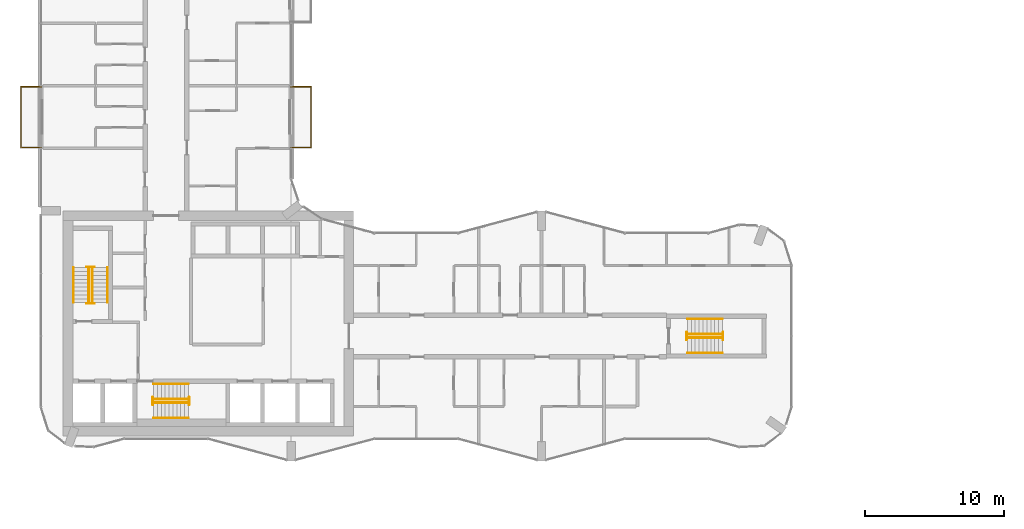
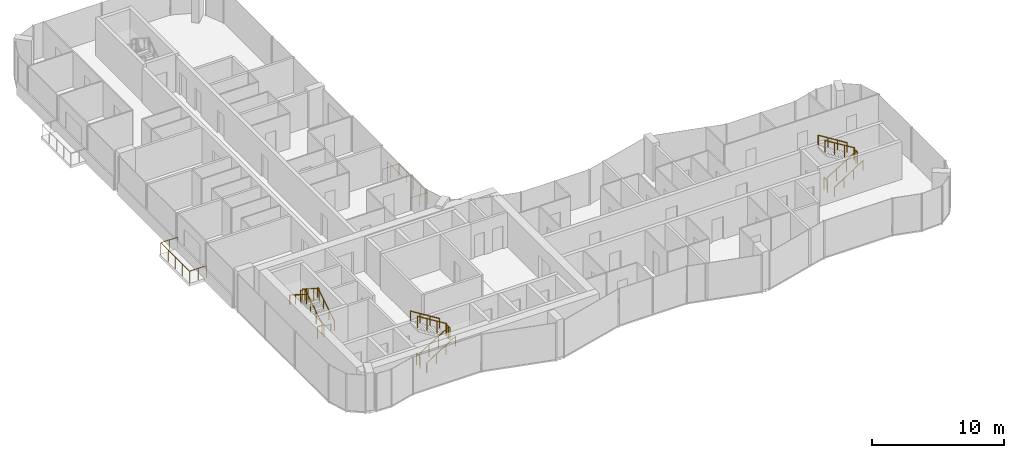
# One storey, part 21 of 23: 20 railings.
"""IFC4 building model written with IfcOpenShell, lengths in metres."""

from ifc_helpers import new_model, si_unit, direction, frame, origin, origin_2d, place, context, subcontext, project, spatial, circle, extrude, material, type_object, element, save


model = new_model("IFC4")

# Units and contexts
model_context = context("Model", 3, precision=1e-05, world=origin(), true_north=direction((0.0, 1.0)))
body_context = subcontext(model_context, "Body", "Model", "MODEL_VIEW")
ifc_project = project(units=[si_unit("LENGTHUNIT", "METRE"), si_unit("AREAUNIT", "SQUARE_METRE"), si_unit("VOLUMEUNIT", "CUBIC_METRE"), si_unit("PLANEANGLEUNIT", "RADIAN"), si_unit("MASSUNIT", "GRAM", prefix="KILO")], contexts=[model_context])

# Site, building, storey
site_placement = place(None, origin())
site = spatial("IfcSite", under=ifc_project, at=site_placement, CompositionType="ELEMENT")
building_placement = place(site_placement, origin())
building = spatial("IfcBuilding", under=site, at=building_placement, Name="Plateau Cross Towers", CompositionType="ELEMENT")
storey_placement = place(building_placement, frame((0.0, 0.0, 81.800048828125)))
storey = spatial("IfcBuildingStorey", under=building, at=storey_placement, Name="L20", CompositionType="ELEMENT", Elevation=81.800048828125)

# Railings
ifc_material_1 = material(Name="Stainless steel and toughened glass", Category="steel")
railing_type_1 = type_object("IfcRailingType", Name="Glass balustrade guard 1100", PredefinedType="GUARDRAIL", material=ifc_material_1)
railing_1_placement = place(storey_placement, frame((0.050048828125, 22.570068359375, 0.0)))
element("IfcRailing", 1, at=railing_1_placement, inside=storey, type_object=railing_type_1, Name="Guard guard1", PredefinedType="GUARDRAIL", context=body_context, shape_type="SweptSolid", body=[
    extrude(circle(Radius=0.02392578125, at=origin_2d()), frame((0.0, 0.0, 1.076171875), z_axis=(-1.0, 0.0, 0.0), x_axis=(0.0, -1.0, 0.0)), (0.0, 0.0, 1.0), 1.47998046875),
    extrude(circle(Radius=0.02392578125, at=origin_2d()), frame((-1.47998046875, 0.0, 1.076171875), z_axis=(0.0, 1.0, 0.0), x_axis=(-1.0, 0.0, 0.0)), (0.0, 0.0, 1.0), 4.35986328125),
    extrude(circle(Radius=0.02392578125, at=origin_2d()), frame((-1.47998046875, 4.35986328125, 1.076171875), z_axis=(1.0, 0.0, 0.0), x_axis=(0.0, 1.0, 0.0)), (0.0, 0.0, 1.0), 1.47998046875),
    extrude(circle(Radius=0.02099609375, at=origin_2d()), origin(), (0.0, 0.0, 1.0), 1.052001953125),
    extrude(circle(Radius=0.02099609375, at=origin_2d()), frame((-0.739990234375, 0.0, 0.0)), (0.0, 0.0, 1.0), 1.052001953125),
    extrude(circle(Radius=0.02099609375, at=origin_2d()), frame((-1.47998046875, 0.0, 0.0)), (0.0, 0.0, 1.0), 1.052001953125),
    extrude(circle(Radius=0.02099609375, at=origin_2d()), frame((-1.47998046875, 1.08984375, 0.0)), (0.0, 0.0, 1.0), 1.052001953125),
    extrude(circle(Radius=0.02099609375, at=origin_2d()), frame((-1.47998046875, 2.179931640625, 0.0)), (0.0, 0.0, 1.0), 1.052001953125),
    extrude(circle(Radius=0.02099609375, at=origin_2d()), frame((-1.47998046875, 3.27001953125, 0.0)), (0.0, 0.0, 1.0), 1.052001953125),
    extrude(circle(Radius=0.02099609375, at=origin_2d()), frame((-1.47998046875, 4.35986328125, 0.0)), (0.0, 0.0, 1.0), 1.052001953125),
    extrude(circle(Radius=0.02099609375, at=origin_2d()), frame((-0.739990234375, 4.35986328125, 0.0)), (0.0, 0.0, 1.0), 1.052001953125),
    extrude(circle(Radius=0.02099609375, at=origin_2d()), frame((0.0, 4.35986328125, 0.0)), (0.0, 0.0, 1.0), 1.052001953125),
])
railing_2_placement = place(storey_placement, frame((17.949951171875, 26.929931640625, 0.0)))
element("IfcRailing", 2, at=railing_2_placement, inside=storey, type_object=railing_type_1, Name="Guard guard1", PredefinedType="GUARDRAIL", context=body_context, shape_type="SweptSolid", body=[
    extrude(circle(Radius=0.02392578125, at=origin_2d()), frame((0.0, 0.0, 1.076171875), z_axis=(1.0, 0.0, 0.0), x_axis=(0.0, 1.0, 0.0)), (0.0, 0.0, 1.0), 1.47998046875),
    extrude(circle(Radius=0.02392578125, at=origin_2d()), frame((1.47998046875, 0.0, 1.076171875), z_axis=(0.0, -1.0, 0.0), x_axis=(1.0, 0.0, 0.0)), (0.0, 0.0, 1.0), 4.35986328125),
    extrude(circle(Radius=0.02392578125, at=origin_2d()), frame((1.47998046875, -4.35986328125, 1.076171875), z_axis=(-1.0, 0.0, 0.0), x_axis=(0.0, -1.0, 0.0)), (0.0, 0.0, 1.0), 1.47998046875),
    extrude(circle(Radius=0.02099609375, at=origin_2d()), origin(), (0.0, 0.0, 1.0), 1.052001953125),
    extrude(circle(Radius=0.02099609375, at=origin_2d()), frame((0.739990234375, 0.0, 0.0)), (0.0, 0.0, 1.0), 1.052001953125),
    extrude(circle(Radius=0.02099609375, at=origin_2d()), frame((1.47998046875, 0.0, 0.0)), (0.0, 0.0, 1.0), 1.052001953125),
    extrude(circle(Radius=0.02099609375, at=origin_2d()), frame((1.47998046875, -1.08984375, 0.0)), (0.0, 0.0, 1.0), 1.052001953125),
    extrude(circle(Radius=0.02099609375, at=origin_2d()), frame((1.47998046875, -2.179931640625, 0.0)), (0.0, 0.0, 1.0), 1.052001953125),
    extrude(circle(Radius=0.02099609375, at=origin_2d()), frame((1.47998046875, -3.27001953125, 0.0)), (0.0, 0.0, 1.0), 1.052001953125),
    extrude(circle(Radius=0.02099609375, at=origin_2d()), frame((1.47998046875, -4.35986328125, 0.0)), (0.0, 0.0, 1.0), 1.052001953125),
    extrude(circle(Radius=0.02099609375, at=origin_2d()), frame((0.739990234375, -4.35986328125, 0.0)), (0.0, 0.0, 1.0), 1.052001953125),
    extrude(circle(Radius=0.02099609375, at=origin_2d()), frame((0.0, -4.35986328125, 0.0)), (0.0, 0.0, 1.0), 1.052001953125),
])
railing_type_2 = type_object("IfcRailingType", Name="RL-GUARD-1100", PredefinedType="GUARDRAIL", material=ifc_material_1)
railing_3_placement = place(storey_placement, frame((3.699951171875, 11.39990234375, 0.175048828125)))
element("IfcRailing", 3, at=railing_3_placement, inside=storey, type_object=railing_type_2, Name="L20 ST-1 stair guard 1", PredefinedType="GUARDRAIL", context=body_context, shape_type="SweptSolid", body=[
    extrude(circle(Radius=0.02392578125, at=origin_2d()), frame((0.0, 0.0, 1.076171875), z_axis=(0.0, 0.848007534815, 0.529984170421), x_axis=(-1.0, 0.0, 0.0)), (0.0, 0.0, 1.0), 2.9716796875),
    extrude(circle(Radius=0.02099609375, at=origin_2d()), origin(), (0.0, 0.0, 1.0), 1.052001953125),
    extrude(circle(Radius=0.02099609375, at=origin_2d()), frame((0.0, 0.840087890625, 0.52490234375)), (0.0, 0.0, 1.0), 1.052001953125),
    extrude(circle(Radius=0.02099609375, at=origin_2d()), frame((0.0, 1.679931640625, 1.050048828125)), (0.0, 0.0, 1.0), 1.052001953125),
    extrude(circle(Radius=0.02099609375, at=origin_2d()), frame((0.0, 2.52001953125, 1.574951171875)), (0.0, 0.0, 1.0), 1.052001953125),
])
railing_4_placement = place(storey_placement, frame((3.85009765625, 13.969970703125, 1.75)))
element("IfcRailing", 4, at=railing_4_placement, inside=storey, type_object=railing_type_2, Name="L20 ST-1 stair guard 2", PredefinedType="GUARDRAIL", context=body_context, shape_type="SweptSolid", body=[
    extrude(circle(Radius=0.02392578125, at=origin_2d()), frame((0.0, 0.0, 1.076171875), z_axis=(-1.0, 0.0, 0.0), x_axis=(0.0, -1.0, 0.0)), (0.0, 0.0, 1.0), 0.550048828125),
    extrude(circle(Radius=0.02099609375, at=origin_2d()), origin(), (0.0, 0.0, 1.0), 1.052001953125),
    extrude(circle(Radius=0.02099609375, at=origin_2d()), frame((-0.550048828125, 0.0, 0.0)), (0.0, 0.0, 1.0), 1.052001953125),
])
railing_5_placement = place(storey_placement, frame((3.449951171875, 13.919921875, 1.925048828125)))
element("IfcRailing", 5, at=railing_5_placement, inside=storey, type_object=railing_type_2, Name="L20 ST-1 stair guard 3", PredefinedType="GUARDRAIL", context=body_context, shape_type="SweptSolid", body=[
    extrude(circle(Radius=0.02392578125, at=origin_2d()), frame((0.0, 0.0, 1.076171875), z_axis=(0.0, -0.852616386126, 0.522537365276), x_axis=(1.0, 0.0, 0.0)), (0.0, 0.0, 1.0), 3.01416015625),
    extrude(circle(Radius=0.02099609375, at=origin_2d()), origin(), (0.0, 0.0, 1.0), 1.052001953125),
    extrude(circle(Radius=0.02099609375, at=origin_2d()), frame((0.0, -0.856689453125, 0.52490234375)), (0.0, 0.0, 1.0), 1.052001953125),
    extrude(circle(Radius=0.02099609375, at=origin_2d()), frame((0.0, -1.713134765625, 1.050048828125)), (0.0, 0.0, 1.0), 1.052001953125),
    extrude(circle(Radius=0.02099609375, at=origin_2d()), frame((0.0, -2.56982421875, 1.574951171875)), (0.0, 0.0, 1.0), 1.052001953125),
])
railing_6_placement = place(storey_placement, frame((3.85009765625, 11.35009765625, 0.0)))
element("IfcRailing", 6, at=railing_6_placement, inside=storey, type_object=railing_type_2, Name="L20 ST-1 stair guard 4", PredefinedType="GUARDRAIL", context=body_context, shape_type="SweptSolid", body=[
    extrude(circle(Radius=0.02392578125, at=origin_2d()), frame((0.0, 0.0, 1.076171875), z_axis=(-1.0, 0.0, 0.0), x_axis=(0.0, -1.0, 0.0)), (0.0, 0.0, 1.0), 0.550048828125),
    extrude(circle(Radius=0.02099609375, at=origin_2d()), origin(), (0.0, 0.0, 1.0), 1.052001953125),
    extrude(circle(Radius=0.02099609375, at=origin_2d()), frame((-0.550048828125, 0.0, 0.0)), (0.0, 0.0, 1.0), 1.052001953125),
])
railing_7_placement = place(storey_placement, frame((8.10009765625, 4.199951171875, 0.175048828125)))
element("IfcRailing", 7, at=railing_7_placement, inside=storey, type_object=railing_type_2, Name="L20 ST-2 stair guard 1", PredefinedType="GUARDRAIL", context=body_context, shape_type="SweptSolid", body=[
    extrude(circle(Radius=0.02392578125, at=origin_2d()), frame((0.0, 0.0, 1.076171875), z_axis=(0.848007534815, 0.0, 0.529984170421), x_axis=(0.0, 1.0, 0.0)), (0.0, 0.0, 1.0), 2.9716796875),
    extrude(circle(Radius=0.02099609375, at=origin_2d()), origin(), (0.0, 0.0, 1.0), 1.052001953125),
    extrude(circle(Radius=0.02099609375, at=origin_2d()), frame((0.840087890625, 0.0, 0.52490234375)), (0.0, 0.0, 1.0), 1.052001953125),
    extrude(circle(Radius=0.02099609375, at=origin_2d()), frame((1.679931640625, 0.0, 1.050048828125)), (0.0, 0.0, 1.0), 1.052001953125),
    extrude(circle(Radius=0.02099609375, at=origin_2d()), frame((2.52001953125, 0.0, 1.574951171875)), (0.0, 0.0, 1.0), 1.052001953125),
])
railing_8_placement = place(storey_placement, frame((10.669921875, 4.050048828125, 1.75)))
element("IfcRailing", 8, at=railing_8_placement, inside=storey, type_object=railing_type_2, Name="L20 ST-2 stair guard 2", PredefinedType="GUARDRAIL", context=body_context, shape_type="SweptSolid", body=[
    extrude(circle(Radius=0.02392578125, at=origin_2d()), frame((0.0, 0.0, 1.076171875), z_axis=(0.0, 1.0, 0.0), x_axis=(-1.0, 0.0, 0.0)), (0.0, 0.0, 1.0), 0.550048828125),
    extrude(circle(Radius=0.02099609375, at=origin_2d()), origin(), (0.0, 0.0, 1.0), 1.052001953125),
    extrude(circle(Radius=0.02099609375, at=origin_2d()), frame((0.0, 0.550048828125, 0.0)), (0.0, 0.0, 1.0), 1.052001953125),
])
railing_9_placement = place(storey_placement, frame((10.6201171875, 4.449951171875, 1.925048828125)))
element("IfcRailing", 9, at=railing_9_placement, inside=storey, type_object=railing_type_2, Name="L20 ST-2 stair guard 3", PredefinedType="GUARDRAIL", context=body_context, shape_type="SweptSolid", body=[
    extrude(circle(Radius=0.02392578125, at=origin_2d()), frame((0.0, 0.0, 1.076171875), z_axis=(-0.852638500773, 0.0, 0.522501279423), x_axis=(0.0, -1.0, 0.0)), (0.0, 0.0, 1.0), 3.01416015625),
    extrude(circle(Radius=0.02099609375, at=origin_2d()), origin(), (0.0, 0.0, 1.0), 1.052001953125),
    extrude(circle(Radius=0.02099609375, at=origin_2d()), frame((-0.856689453125, 0.0, 0.52490234375)), (0.0, 0.0, 1.0), 1.052001953125),
    extrude(circle(Radius=0.02099609375, at=origin_2d()), frame((-1.71337890625, 0.0, 1.050048828125)), (0.0, 0.0, 1.0), 1.052001953125),
    extrude(circle(Radius=0.02099609375, at=origin_2d()), frame((-2.570068359375, 0.0, 1.574951171875)), (0.0, 0.0, 1.0), 1.052001953125),
])
railing_10_placement = place(storey_placement, frame((8.050048828125, 4.050048828125, 0.0)))
element("IfcRailing", 10, at=railing_10_placement, inside=storey, type_object=railing_type_2, Name="L20 ST-2 stair guard 4", PredefinedType="GUARDRAIL", context=body_context, shape_type="SweptSolid", body=[
    extrude(circle(Radius=0.02392578125, at=origin_2d()), frame((0.0, 0.0, 1.076171875), z_axis=(0.0, 1.0, 0.0), x_axis=(-1.0, 0.0, 0.0)), (0.0, 0.0, 1.0), 0.550048828125),
    extrude(circle(Radius=0.02099609375, at=origin_2d()), origin(), (0.0, 0.0, 1.0), 1.052001953125),
    extrude(circle(Radius=0.02099609375, at=origin_2d()), frame((0.0, 0.550048828125, 0.0)), (0.0, 0.0, 1.0), 1.052001953125),
])
railing_11_placement = place(storey_placement, frame((46.5, 8.875, 0.175048828125)))
element("IfcRailing", 11, at=railing_11_placement, inside=storey, type_object=railing_type_2, Name="L20 ES-E stair guard 1", PredefinedType="GUARDRAIL", context=body_context, shape_type="SweptSolid", body=[
    extrude(circle(Radius=0.02392578125, at=origin_2d()), frame((0.0, 0.0, 1.076171875), z_axis=(0.848007534815, 0.0, 0.529984170421), x_axis=(0.0, 1.0, 0.0)), (0.0, 0.0, 1.0), 2.9716796875),
    extrude(circle(Radius=0.02099609375, at=origin_2d()), origin(), (0.0, 0.0, 1.0), 1.052001953125),
    extrude(circle(Radius=0.02099609375, at=origin_2d()), frame((0.840087890625, 0.0, 0.52490234375)), (0.0, 0.0, 1.0), 1.052001953125),
    extrude(circle(Radius=0.02099609375, at=origin_2d()), frame((1.679931640625, 0.0, 1.050048828125)), (0.0, 0.0, 1.0), 1.052001953125),
    extrude(circle(Radius=0.02099609375, at=origin_2d()), frame((2.52001953125, 0.0, 1.574951171875)), (0.0, 0.0, 1.0), 1.052001953125),
])
railing_12_placement = place(storey_placement, frame((49.070068359375, 8.72509765625, 1.75)))
element("IfcRailing", 12, at=railing_12_placement, inside=storey, type_object=railing_type_2, Name="L20 ES-E stair guard 2", PredefinedType="GUARDRAIL", context=body_context, shape_type="SweptSolid", body=[
    extrude(circle(Radius=0.02392578125, at=origin_2d()), frame((0.0, 0.0, 1.076171875), z_axis=(0.0, 1.0, 0.0), x_axis=(-1.0, 0.0, 0.0)), (0.0, 0.0, 1.0), 0.5498046875),
    extrude(circle(Radius=0.02099609375, at=origin_2d()), origin(), (0.0, 0.0, 1.0), 1.052001953125),
    extrude(circle(Radius=0.02099609375, at=origin_2d()), frame((0.0, 0.5498046875, 0.0)), (0.0, 0.0, 1.0), 1.052001953125),
])
railing_13_placement = place(storey_placement, frame((49.02001953125, 9.125, 1.925048828125)))
element("IfcRailing", 13, at=railing_13_placement, inside=storey, type_object=railing_type_2, Name="L20 ES-E stair guard 3", PredefinedType="GUARDRAIL", context=body_context, shape_type="SweptSolid", body=[
    extrude(circle(Radius=0.02392578125, at=origin_2d()), frame((0.0, 0.0, 1.076171875), z_axis=(-0.852638500773, 0.0, 0.522501279423), x_axis=(0.0, -1.0, 0.0)), (0.0, 0.0, 1.0), 3.01416015625),
    extrude(circle(Radius=0.02099609375, at=origin_2d()), origin(), (0.0, 0.0, 1.0), 1.052001953125),
    extrude(circle(Radius=0.02099609375, at=origin_2d()), frame((-0.856689453125, 0.0, 0.52490234375)), (0.0, 0.0, 1.0), 1.052001953125),
    extrude(circle(Radius=0.02099609375, at=origin_2d()), frame((-1.71337890625, 0.0, 1.050048828125)), (0.0, 0.0, 1.0), 1.052001953125),
    extrude(circle(Radius=0.02099609375, at=origin_2d()), frame((-2.570068359375, 0.0, 1.574951171875)), (0.0, 0.0, 1.0), 1.052001953125),
])
railing_14_placement = place(storey_placement, frame((46.449951171875, 8.72509765625, 0.0)))
element("IfcRailing", 14, at=railing_14_placement, inside=storey, type_object=railing_type_2, Name="L20 ES-E stair guard 4", PredefinedType="GUARDRAIL", context=body_context, shape_type="SweptSolid", body=[
    extrude(circle(Radius=0.02392578125, at=origin_2d()), frame((0.0, 0.0, 1.076171875), z_axis=(0.0, 1.0, 0.0), x_axis=(-1.0, 0.0, 0.0)), (0.0, 0.0, 1.0), 0.5498046875),
    extrude(circle(Radius=0.02099609375, at=origin_2d()), origin(), (0.0, 0.0, 1.0), 1.052001953125),
    extrude(circle(Radius=0.02099609375, at=origin_2d()), frame((0.0, 0.5498046875, 0.0)), (0.0, 0.0, 1.0), 1.052001953125),
])
ifc_material_2 = material(Name="Black anodised aluminium", Category="aluminium")
railing_type_3 = type_object("IfcRailingType", Name="RL-HANDRAIL-900", PredefinedType="HANDRAIL", material=ifc_material_2)
railing_15_placement = place(storey_placement, frame((4.800048828125, 11.39990234375, 0.175048828125)))
element("IfcRailing", 15, at=railing_15_placement, inside=storey, type_object=railing_type_3, Name="L20 ST-1 stair handrail 1", PredefinedType="HANDRAIL", context=body_context, shape_type="SweptSolid", body=[
    extrude(circle(Radius=0.02392578125, at=origin_2d()), frame((0.0, 0.0, 0.8759765625), z_axis=(0.0, 0.848007534815, 0.529984170421), x_axis=(-1.0, 0.0, 0.0)), (0.0, 0.0, 1.0), 2.9716796875),
    extrude(circle(Radius=0.02099609375, at=origin_2d()), origin(), (0.0, 0.0, 1.0), 0.851806640625),
    extrude(circle(Radius=0.02099609375, at=origin_2d()), frame((0.0, 0.840087890625, 0.52490234375)), (0.0, 0.0, 1.0), 0.851806640625),
    extrude(circle(Radius=0.02099609375, at=origin_2d()), frame((0.0, 1.679931640625, 1.050048828125)), (0.0, 0.0, 1.0), 0.851806640625),
    extrude(circle(Radius=0.02099609375, at=origin_2d()), frame((0.0, 2.52001953125, 1.574951171875)), (0.0, 0.0, 1.0), 0.851806640625),
])
railing_16_placement = place(storey_placement, frame((2.35009765625, 13.919921875, 1.925048828125)))
element("IfcRailing", 16, at=railing_16_placement, inside=storey, type_object=railing_type_3, Name="L20 ST-1 stair handrail 2", PredefinedType="HANDRAIL", context=body_context, shape_type="SweptSolid", body=[
    extrude(circle(Radius=0.02392578125, at=origin_2d()), frame((0.0, 0.0, 0.8759765625), z_axis=(0.0, -0.848007534815, 0.529984170421), x_axis=(1.0, 0.0, 0.0)), (0.0, 0.0, 1.0), 2.9716796875),
    extrude(circle(Radius=0.02099609375, at=origin_2d()), origin(), (0.0, 0.0, 1.0), 0.851806640625),
    extrude(circle(Radius=0.02099609375, at=origin_2d()), frame((0.0, -0.840087890625, 0.52490234375)), (0.0, 0.0, 1.0), 0.851806640625),
    extrude(circle(Radius=0.02099609375, at=origin_2d()), frame((0.0, -1.679931640625, 1.050048828125)), (0.0, 0.0, 1.0), 0.851806640625),
    extrude(circle(Radius=0.02099609375, at=origin_2d()), frame((0.0, -2.52001953125, 1.574951171875)), (0.0, 0.0, 1.0), 0.851806640625),
])
railing_17_placement = place(storey_placement, frame((8.10009765625, 3.10009765625, 0.175048828125)))
element("IfcRailing", 17, at=railing_17_placement, inside=storey, type_object=railing_type_3, Name="L20 ST-2 stair handrail 1", PredefinedType="HANDRAIL", context=body_context, shape_type="SweptSolid", body=[
    extrude(circle(Radius=0.02392578125, at=origin_2d()), frame((0.0, 0.0, 0.8759765625), z_axis=(0.848007534815, 0.0, 0.529984170421), x_axis=(0.0, 1.0, 0.0)), (0.0, 0.0, 1.0), 2.9716796875),
    extrude(circle(Radius=0.02099609375, at=origin_2d()), origin(), (0.0, 0.0, 1.0), 0.851806640625),
    extrude(circle(Radius=0.02099609375, at=origin_2d()), frame((0.840087890625, 0.0, 0.52490234375)), (0.0, 0.0, 1.0), 0.851806640625),
    extrude(circle(Radius=0.02099609375, at=origin_2d()), frame((1.679931640625, 0.0, 1.050048828125)), (0.0, 0.0, 1.0), 0.851806640625),
    extrude(circle(Radius=0.02099609375, at=origin_2d()), frame((2.52001953125, 0.0, 1.574951171875)), (0.0, 0.0, 1.0), 0.851806640625),
])
railing_18_placement = place(storey_placement, frame((10.6201171875, 5.550048828125, 1.925048828125)))
element("IfcRailing", 18, at=railing_18_placement, inside=storey, type_object=railing_type_3, Name="L20 ST-2 stair handrail 2", PredefinedType="HANDRAIL", context=body_context, shape_type="SweptSolid", body=[
    extrude(circle(Radius=0.02392578125, at=origin_2d()), frame((0.0, 0.0, 0.8759765625), z_axis=(-0.848007534815, 0.0, 0.529984170421), x_axis=(0.0, -1.0, 0.0)), (0.0, 0.0, 1.0), 2.9716796875),
    extrude(circle(Radius=0.02099609375, at=origin_2d()), origin(), (0.0, 0.0, 1.0), 0.851806640625),
    extrude(circle(Radius=0.02099609375, at=origin_2d()), frame((-0.840087890625, 0.0, 0.52490234375)), (0.0, 0.0, 1.0), 0.851806640625),
    extrude(circle(Radius=0.02099609375, at=origin_2d()), frame((-1.679931640625, 0.0, 1.050048828125)), (0.0, 0.0, 1.0), 0.851806640625),
    extrude(circle(Radius=0.02099609375, at=origin_2d()), frame((-2.52001953125, 0.0, 1.574951171875)), (0.0, 0.0, 1.0), 0.851806640625),
])
railing_19_placement = place(storey_placement, frame((46.5, 7.77490234375, 0.175048828125)))
element("IfcRailing", 19, at=railing_19_placement, inside=storey, type_object=railing_type_3, Name="L20 ES-E stair handrail 1", PredefinedType="HANDRAIL", context=body_context, shape_type="SweptSolid", body=[
    extrude(circle(Radius=0.02392578125, at=origin_2d()), frame((0.0, 0.0, 0.8759765625), z_axis=(0.848007534815, 0.0, 0.529984170421), x_axis=(0.0, 1.0, 0.0)), (0.0, 0.0, 1.0), 2.9716796875),
    extrude(circle(Radius=0.02099609375, at=origin_2d()), origin(), (0.0, 0.0, 1.0), 0.851806640625),
    extrude(circle(Radius=0.02099609375, at=origin_2d()), frame((0.840087890625, 0.0, 0.52490234375)), (0.0, 0.0, 1.0), 0.851806640625),
    extrude(circle(Radius=0.02099609375, at=origin_2d()), frame((1.679931640625, 0.0, 1.050048828125)), (0.0, 0.0, 1.0), 0.851806640625),
    extrude(circle(Radius=0.02099609375, at=origin_2d()), frame((2.52001953125, 0.0, 1.574951171875)), (0.0, 0.0, 1.0), 0.851806640625),
])
railing_20_placement = place(storey_placement, frame((49.02001953125, 10.22509765625, 1.925048828125)))
element("IfcRailing", 20, at=railing_20_placement, inside=storey, type_object=railing_type_3, Name="L20 ES-E stair handrail 2", PredefinedType="HANDRAIL", context=body_context, shape_type="SweptSolid", body=[
    extrude(circle(Radius=0.02392578125, at=origin_2d()), frame((0.0, 0.0, 0.8759765625), z_axis=(-0.848007534815, 0.0, 0.529984170421), x_axis=(0.0, -1.0, 0.0)), (0.0, 0.0, 1.0), 2.9716796875),
    extrude(circle(Radius=0.02099609375, at=origin_2d()), origin(), (0.0, 0.0, 1.0), 0.851806640625),
    extrude(circle(Radius=0.02099609375, at=origin_2d()), frame((-0.840087890625, 0.0, 0.52490234375)), (0.0, 0.0, 1.0), 0.851806640625),
    extrude(circle(Radius=0.02099609375, at=origin_2d()), frame((-1.679931640625, 0.0, 1.050048828125)), (0.0, 0.0, 1.0), 0.851806640625),
    extrude(circle(Radius=0.02099609375, at=origin_2d()), frame((-2.52001953125, 0.0, 1.574951171875)), (0.0, 0.0, 1.0), 0.851806640625),
])

save(model, "model.ifc")
